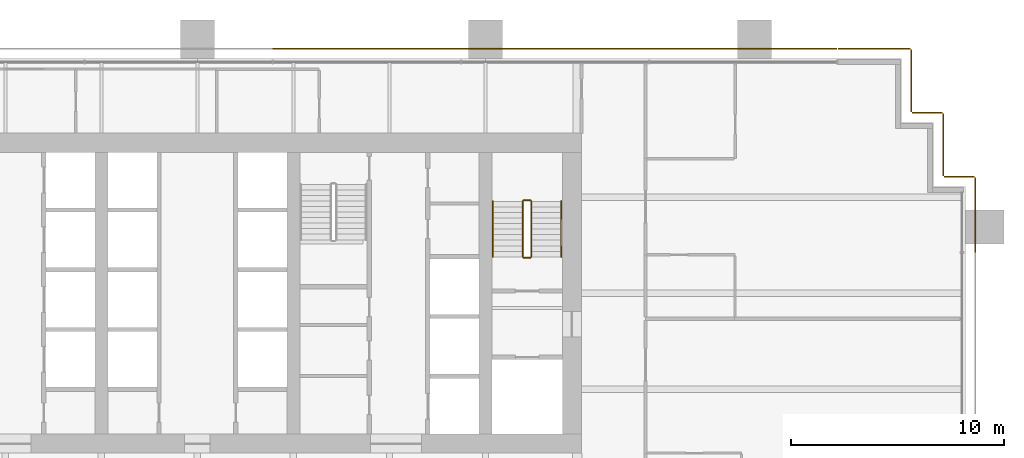
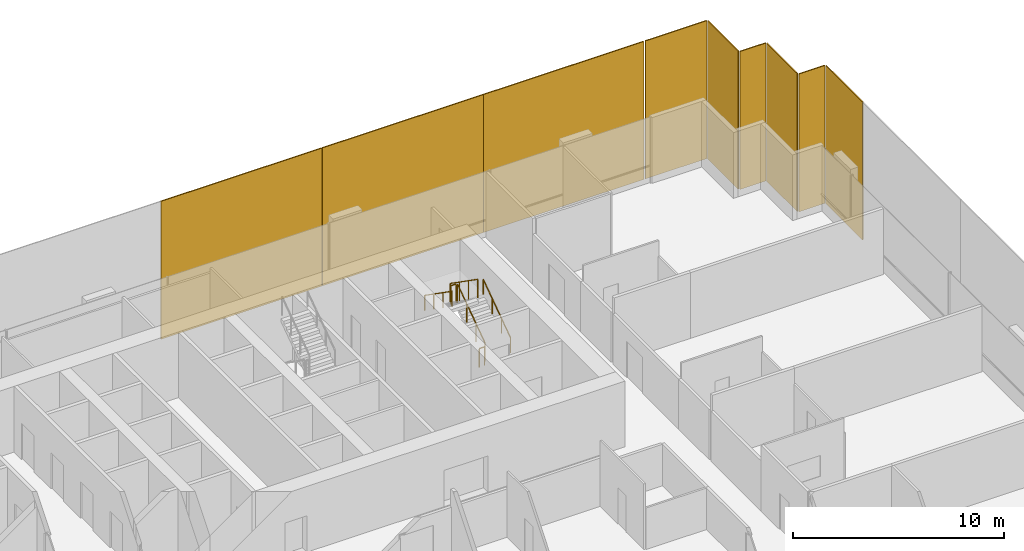
# One storey, part 19 of 19: 9 coverings, 6 railings.
"""IFC4 building model written with IfcOpenShell, lengths in metres."""

from ifc_helpers import new_model, si_unit, direction, frame, origin, origin_2d, place, context, subcontext, project, spatial, rectangle, extrude, material, layer, layer_set, type_object, element, save


model = new_model("IFC4")

# Units and contexts
model_context = context("Model", 3, precision=1e-05, world=origin(), true_north=direction((0.0, 1.0)))
body_context = subcontext(model_context, "Body", "Model", "MODEL_VIEW")
ifc_project = project(units=[si_unit("LENGTHUNIT", "METRE"), si_unit("AREAUNIT", "SQUARE_METRE"), si_unit("VOLUMEUNIT", "CUBIC_METRE"), si_unit("PLANEANGLEUNIT", "RADIAN"), si_unit("MASSUNIT", "GRAM", prefix="KILO")], contexts=[model_context])

# Site, building, storey
site_placement = place(None, origin())
site = spatial("IfcSite", under=ifc_project, at=site_placement, CompositionType="ELEMENT")
building_placement = place(site_placement, origin())
building = spatial("IfcBuilding", under=site, at=building_placement, Name="Rattan Terrace Tower", CompositionType="ELEMENT")
storey_placement = place(building_placement, frame((0.0, 0.0, 103.699951171875)))
storey = spatial("IfcBuildingStorey", under=building, at=storey_placement, Name="L23", CompositionType="ELEMENT", Elevation=103.699951171875)

# Railings
ifc_material_1 = material(Name="Powder-coated steel guard", Category="steel")
railing_type_1 = type_object("IfcRailingType", Name="Core stair guard", PredefinedType="GUARDRAIL", material=ifc_material_1)
railing_1_placement = place(storey_placement, frame((15.64990234375, 1.699951171875, 0.181884765625)))
element("IfcRailing", 1, at=railing_1_placement, inside=storey, type_object=railing_type_1, Name="L23 S2 stair guard 1", PredefinedType="GUARDRAIL", context=body_context, shape_type="SweptSolid", body=[
    extrude(rectangle(XDim=0.048095703125, YDim=0.048095703125, at=origin_2d()), frame((0.0, 0.0, 1.076171875), z_axis=(0.0, 0.819521025635, 0.573049115296), x_axis=(-1.0, 0.0, 0.0)), (0.0, 0.0, 1.0), 3.172607421875),
    extrude(rectangle(XDim=0.0419921875, YDim=0.0419921875, at=origin_2d()), origin(), (0.0, 0.0, 1.0), 1.052001953125),
    extrude(rectangle(XDim=0.0419921875, YDim=0.0419921875, at=origin_2d()), frame((0.0, 0.86669921875, 0.60595703125)), (0.0, 0.0, 1.0), 1.052001953125),
    extrude(rectangle(XDim=0.0419921875, YDim=0.0419921875, at=origin_2d()), frame((0.0, 1.7333984375, 1.212158203125)), (0.0, 0.0, 1.0), 1.052001953125),
    extrude(rectangle(XDim=0.0419921875, YDim=0.0419921875, at=origin_2d()), frame((0.0, 2.60009765625, 1.818115234375)), (0.0, 0.0, 1.0), 1.052001953125),
])
railing_2_placement = place(storey_placement, frame((15.60009765625, 4.35009765625, 2.0)))
element("IfcRailing", 2, at=railing_2_placement, inside=storey, type_object=railing_type_1, Name="L23 S2 stair guard 2", PredefinedType="GUARDRAIL", context=body_context, shape_type="SweptSolid", body=[
    extrude(rectangle(XDim=0.048095703125, YDim=0.048095703125, at=origin_2d()), frame((0.0, 0.0, 1.076171875), z_axis=(-1.0, 0.0, 0.0), x_axis=(0.0, -1.0, 0.0)), (0.0, 0.0, 1.0), 0.300048828125),
    extrude(rectangle(XDim=0.0419921875, YDim=0.0419921875, at=origin_2d()), origin(), (0.0, 0.0, 1.0), 1.052001953125),
    extrude(rectangle(XDim=0.0419921875, YDim=0.0419921875, at=origin_2d()), frame((-0.300048828125, 0.0, 0.0)), (0.0, 0.0, 1.0), 1.052001953125),
])
railing_3_placement = place(storey_placement, frame((15.25, 4.300048828125, 2.181884765625)))
element("IfcRailing", 3, at=railing_3_placement, inside=storey, type_object=railing_type_1, Name="L23 S2 stair guard 3", PredefinedType="GUARDRAIL", context=body_context, shape_type="SweptSolid", body=[
    extrude(rectangle(XDim=0.048095703125, YDim=0.048095703125, at=origin_2d()), frame((0.0, 0.0, 1.076171875), z_axis=(0.0, -0.819521025635, 0.573049115296), x_axis=(1.0, 0.0, 0.0)), (0.0, 0.0, 1.0), 3.172607421875),
    extrude(rectangle(XDim=0.0419921875, YDim=0.0419921875, at=origin_2d()), origin(), (0.0, 0.0, 1.0), 1.052001953125),
    extrude(rectangle(XDim=0.0419921875, YDim=0.0419921875, at=origin_2d()), frame((0.0, -0.86669921875, 0.60595703125)), (0.0, 0.0, 1.0), 1.052001953125),
    extrude(rectangle(XDim=0.0419921875, YDim=0.0419921875, at=origin_2d()), frame((0.0, -1.7333984375, 1.212158203125)), (0.0, 0.0, 1.0), 1.052001953125),
    extrude(rectangle(XDim=0.0419921875, YDim=0.0419921875, at=origin_2d()), frame((0.0, -2.60009765625, 1.818115234375)), (0.0, 0.0, 1.0), 1.052001953125),
])
railing_4_placement = place(storey_placement, frame((15.60009765625, 1.64990234375, 0.0)))
element("IfcRailing", 4, at=railing_4_placement, inside=storey, type_object=railing_type_1, Name="L23 S2 stair guard 4", PredefinedType="GUARDRAIL", context=body_context, shape_type="SweptSolid", body=[
    extrude(rectangle(XDim=0.048095703125, YDim=0.048095703125, at=origin_2d()), frame((0.0, 0.0, 1.076171875), z_axis=(-1.0, 0.0, 0.0), x_axis=(0.0, -1.0, 0.0)), (0.0, 0.0, 1.0), 0.300048828125),
    extrude(rectangle(XDim=0.0419921875, YDim=0.0419921875, at=origin_2d()), origin(), (0.0, 0.0, 1.0), 1.052001953125),
    extrude(rectangle(XDim=0.0419921875, YDim=0.0419921875, at=origin_2d()), frame((-0.300048828125, 0.0, 0.0)), (0.0, 0.0, 1.0), 1.052001953125),
])
ifc_material_2 = material(Name="Powder-coated steel handrail", Category="steel")
railing_type_2 = type_object("IfcRailingType", Name="Core stair handrail", PredefinedType="HANDRAIL", material=ifc_material_2)
railing_5_placement = place(storey_placement, frame((17.050048828125, 1.699951171875, 0.181884765625)))
element("IfcRailing", 5, at=railing_5_placement, inside=storey, type_object=railing_type_2, Name="L23 S2 stair handrail 1", PredefinedType="HANDRAIL", context=body_context, shape_type="SweptSolid", body=[
    extrude(rectangle(XDim=0.048095703125, YDim=0.048095703125, at=origin_2d()), frame((0.0, 0.0, 0.8759765625), z_axis=(0.0, 0.819521025635, 0.573049115296), x_axis=(-1.0, 0.0, 0.0)), (0.0, 0.0, 1.0), 3.172607421875),
    extrude(rectangle(XDim=0.0419921875, YDim=0.0419921875, at=origin_2d()), origin(), (0.0, 0.0, 1.0), 0.851806640625),
    extrude(rectangle(XDim=0.0419921875, YDim=0.0419921875, at=origin_2d()), frame((0.0, 0.86669921875, 0.60595703125)), (0.0, 0.0, 1.0), 0.851806640625),
    extrude(rectangle(XDim=0.0419921875, YDim=0.0419921875, at=origin_2d()), frame((0.0, 1.7333984375, 1.212158203125)), (0.0, 0.0, 1.0), 0.851806640625),
    extrude(rectangle(XDim=0.0419921875, YDim=0.0419921875, at=origin_2d()), frame((0.0, 2.60009765625, 1.818115234375)), (0.0, 0.0, 1.0), 0.851806640625),
])
railing_6_placement = place(storey_placement, frame((13.85009765625, 4.300048828125, 2.181884765625)))
element("IfcRailing", 6, at=railing_6_placement, inside=storey, type_object=railing_type_2, Name="L23 S2 stair handrail 2", PredefinedType="HANDRAIL", context=body_context, shape_type="SweptSolid", body=[
    extrude(rectangle(XDim=0.048095703125, YDim=0.048095703125, at=origin_2d()), frame((0.0, 0.0, 0.8759765625), z_axis=(0.0, -0.819521025635, 0.573049115296), x_axis=(1.0, 0.0, 0.0)), (0.0, 0.0, 1.0), 3.172607421875),
    extrude(rectangle(XDim=0.0419921875, YDim=0.0419921875, at=origin_2d()), origin(), (0.0, 0.0, 1.0), 0.851806640625),
    extrude(rectangle(XDim=0.0419921875, YDim=0.0419921875, at=origin_2d()), frame((0.0, -0.86669921875, 0.60595703125)), (0.0, 0.0, 1.0), 0.851806640625),
    extrude(rectangle(XDim=0.0419921875, YDim=0.0419921875, at=origin_2d()), frame((0.0, -1.7333984375, 1.212158203125)), (0.0, 0.0, 1.0), 0.851806640625),
    extrude(rectangle(XDim=0.0419921875, YDim=0.0419921875, at=origin_2d()), frame((0.0, -2.60009765625, 1.818115234375)), (0.0, 0.0, 1.0), 0.851806640625),
])

# Coverings
ifc_material_3 = material(Name="Perforated terracotta", Category="masonry")
ifc_layer = layer(ifc_material_3, 0.06005859375)
ifc_layer_set = layer_set([ifc_layer], Name="Facade Terracotta Screen Panel")
covering_type = type_object("IfcCoveringType", Name="Facade Terracotta Screen Panel", PredefinedType="CLADDING", material=ifc_layer_set)
covering_1_placement = place(storey_placement, frame((36.449951171875, 3.659912109375, -0.18994140625), z_axis=(0.0, 0.0, 1.0), x_axis=(0.0, 1.0, 0.0)))
element("IfcCovering", 7, at=covering_1_placement, inside=storey, type_object=covering_type, Name="OUTER SKIN panel L23-9", PredefinedType="CLADDING", context=body_context, shape_type="SweptSolid", body=[
    extrude(rectangle(XDim=3.5, YDim=0.06005859375, at=origin_2d()), origin(), (0.0, 0.0, 1.0), 7.97998046875),
])
covering_2_placement = place(storey_placement, frame((35.699951171875, 5.449951171875, -0.18994140625), z_axis=(0.0, 0.0, 1.0), x_axis=(-1.0, 0.0, 0.0)))
element("IfcCovering", 8, at=covering_2_placement, inside=storey, type_object=covering_type, Name="OUTER SKIN panel L23-10", PredefinedType="CLADDING", context=body_context, shape_type="SweptSolid", body=[
    extrude(rectangle(XDim=1.419921875, YDim=0.06005859375, at=origin_2d()), origin(), (0.0, 0.0, 1.0), 7.97998046875),
])
covering_3_placement = place(storey_placement, frame((34.949951171875, 6.949951171875, -0.18994140625), z_axis=(0.0, 0.0, 1.0), x_axis=(0.0, 1.0, 0.0)))
element("IfcCovering", 9, at=covering_3_placement, inside=storey, type_object=covering_type, Name="OUTER SKIN panel L23-11", PredefinedType="CLADDING", context=body_context, shape_type="SweptSolid", body=[
    extrude(rectangle(XDim=2.919921875, YDim=0.06005859375, at=origin_2d()), origin(), (0.0, 0.0, 1.0), 7.97998046875),
])
covering_4_placement = place(storey_placement, frame((34.199951171875, 8.449951171875, -0.18994140625), z_axis=(0.0, 0.0, 1.0), x_axis=(-1.0, 0.0, 0.0)))
element("IfcCovering", 10, at=covering_4_placement, inside=storey, type_object=covering_type, Name="OUTER SKIN panel L23-12", PredefinedType="CLADDING", context=body_context, shape_type="SweptSolid", body=[
    extrude(rectangle(XDim=1.419921875, YDim=0.06005859375, at=origin_2d()), origin(), (0.0, 0.0, 1.0), 7.97998046875),
])
covering_5_placement = place(storey_placement, frame((33.449951171875, 9.949951171875, -0.18994140625), z_axis=(0.0, 0.0, 1.0), x_axis=(0.0, 1.0, 0.0)))
element("IfcCovering", 11, at=covering_5_placement, inside=storey, type_object=covering_type, Name="OUTER SKIN panel L23-13", PredefinedType="CLADDING", context=body_context, shape_type="SweptSolid", body=[
    extrude(rectangle(XDim=2.919921875, YDim=0.06005859375, at=origin_2d()), origin(), (0.0, 0.0, 1.0), 7.97998046875),
])
covering_6_placement = place(storey_placement, frame((31.72509765625, 11.449951171875, -0.18994140625), z_axis=(0.0, 0.0, 1.0), x_axis=(-1.0, 0.0, 0.0)))
element("IfcCovering", 12, at=covering_6_placement, inside=storey, type_object=covering_type, Name="OUTER SKIN panel L23-14", PredefinedType="CLADDING", context=body_context, shape_type="SweptSolid", body=[
    extrude(rectangle(XDim=3.3701171875, YDim=0.06005859375, at=origin_2d()), origin(), (0.0, 0.0, 1.0), 7.97998046875),
])
covering_7_placement = place(storey_placement, frame((25.573486328125, 11.449951171875, -0.18994140625), z_axis=(0.0, 0.0, 1.0), x_axis=(-1.0, 0.0, 0.0)))
element("IfcCovering", 13, at=covering_7_placement, inside=storey, type_object=covering_type, Name="OUTER SKIN panel L23-15", PredefinedType="CLADDING", context=body_context, shape_type="SweptSolid", body=[
    extrude(rectangle(XDim=8.77294921875, YDim=0.06005859375, at=origin_2d()), origin(), (0.0, 0.0, 1.0), 7.97998046875),
])
for number, where, z_axis, x_axis, name in (
    (14, (16.765380859375, 11.449951171875, -0.18994140625), (0.0, 0.0, 1.0), (-1.0, 0.0, 0.0), "OUTER SKIN panel L23-16"),
    (15, (7.9423828125, 11.449951171875, -0.18994140625), (0.0, 0.0, 1.0), (-1.0, 0.0, 0.0), "OUTER SKIN panel L23-17"),
):
    element("IfcCovering", number, at=place(storey_placement, frame(where, z_axis=z_axis, x_axis=x_axis)), inside=storey, type_object=covering_type, Name=name, PredefinedType="CLADDING", context=body_context, shape_type="SweptSolid", body=[
        extrude(rectangle(XDim=8.802978515625, YDim=0.06005859375, at=origin_2d()), origin(), (0.0, 0.0, 1.0), 7.97998046875),
    ])

save(model, "model.ifc")
